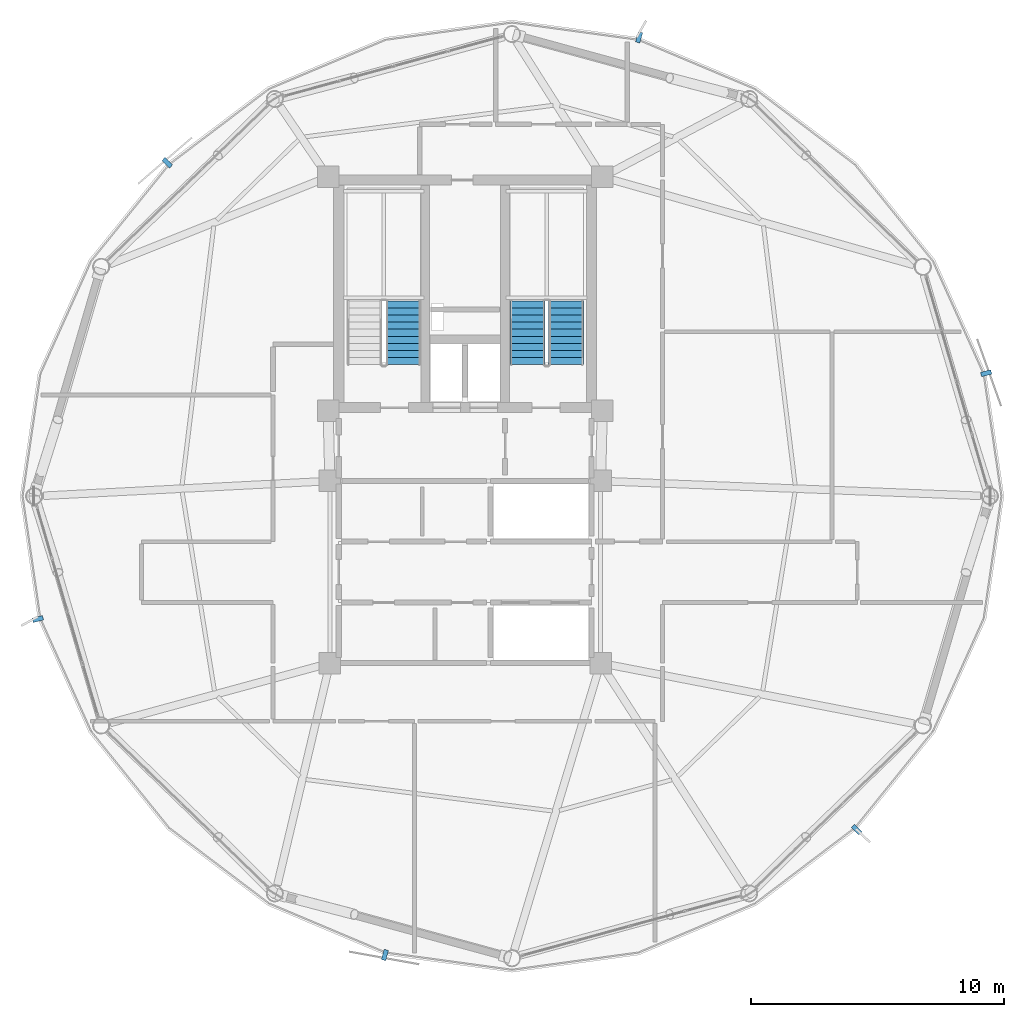
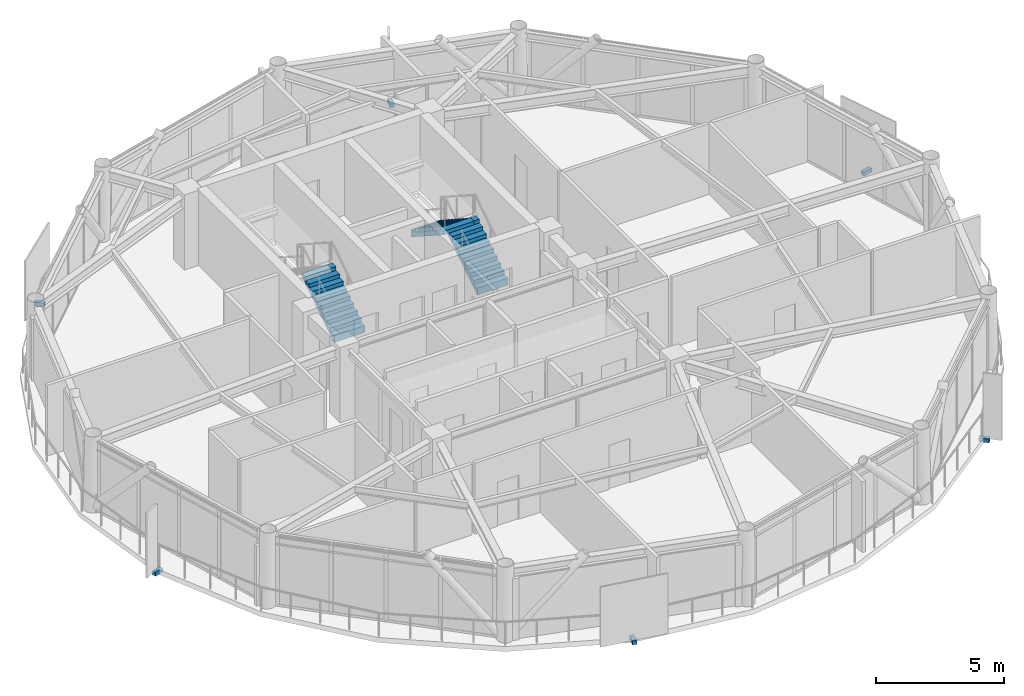
# One storey, part 25 of 28: 6 discrete accessories, 3 stair flights, 2 elements without a shape of their own.
"""IFC4 building model written with IfcOpenShell, lengths in metres."""

from ifc_helpers import new_model, si_unit, direction, frame, origin, origin_2d, place, context, subcontext, project, spatial, polyline, rectangle, outline, extrude, source, transform, mapped, material, type_object, type_shapes, element, aggregate, save


model = new_model("IFC4")

# Units and contexts
model_context = context("Model", 3, precision=1e-05, world=origin(), true_north=direction((0.0, 1.0)))
body_context = subcontext(model_context, "Body", "Model", "MODEL_VIEW")
ifc_project = project(units=[si_unit("LENGTHUNIT", "METRE"), si_unit("AREAUNIT", "SQUARE_METRE"), si_unit("VOLUMEUNIT", "CUBIC_METRE"), si_unit("PLANEANGLEUNIT", "RADIAN"), si_unit("MASSUNIT", "GRAM", prefix="KILO")], contexts=[model_context])

# Site, building, storey
site_placement = place(None, origin())
site = spatial("IfcSite", under=ifc_project, at=site_placement, CompositionType="ELEMENT")
building_placement = place(site_placement, origin())
building = spatial("IfcBuilding", under=site, at=building_placement, Name="Varnakorn Sky Granary", CompositionType="ELEMENT")
storey_placement = place(building_placement, frame((0.0, 0.0, 225.60009765625)))
storey = spatial("IfcBuildingStorey", under=building, at=storey_placement, Name="L57", CompositionType="ELEMENT", Elevation=225.60009765625)

# Stair, stair flight
ifc_material_1 = material(Name="Concrete C40/50", Category="concrete")
stair_type = type_object("IfcStairType", Name="ST-MAIN-ASSEMBLY", PredefinedType="HALF_TURN_STAIR", material=ifc_material_1)
stair_1_placement = place(storey_placement, origin())
stair_1 = element("IfcStair", 1, at=stair_1_placement, inside=storey, type_object=stair_type, Name="L57 Protected Exit Stair ST-1", PredefinedType="HALF_TURN_STAIR")
stair_flight_type = type_object("IfcStairFlightType", Name="ST-MAIN-FLIGHT", PredefinedType="STRAIGHT", material=ifc_material_1)
stair_flight_1_placement = place(storey_placement, frame((0.550048828125, 5.199951171875, 0.0), z_axis=(0.0, 0.0, 1.0), x_axis=(0.0, 1.0, 0.0)))
stair_flight_1 = element("IfcStairFlight", 2, at=stair_flight_1_placement, type_object=stair_flight_type, Name="ST-1 flight 1", NumberOfRisers=10, NumberOfTreads=9, PredefinedType="STRAIGHT", RiserHeight=0.18, TreadLength=0.28, context=body_context, shape_type="SweptSolid", body=[
    extrude(outline(polyline([(0.0, -0.14990234375), (0.0, 0.0), (0.0, 0.179931640625), (0.280029296875, 0.179931640625), (0.280029296875, 0.360107421875), (0.56005859375, 0.360107421875), (0.56005859375, 0.5400390625), (0.840087890625, 0.5400390625), (0.840087890625, 0.719970703125), (1.1201171875, 0.719970703125), (1.1201171875, 0.89990234375), (1.39990234375, 0.89990234375), (1.39990234375, 1.080078125), (1.679931640625, 1.080078125), (1.679931640625, 1.260009765625), (1.9599609375, 1.260009765625), (1.9599609375, 1.43994140625), (2.239990234375, 1.43994140625), (2.239990234375, 1.6201171875), (2.52001953125, 1.6201171875), (2.52001953125, 1.800048828125), (2.52001953125, 1.44189453125), (0.050048828125, -0.14990234375), (0.0, -0.14990234375)])), frame((0.0, 0.68994140625, 0.0), z_axis=(0.0, -1.0, 0.0), x_axis=(1.0, 0.0, 0.0)), (0.0, 0.0, 1.0), 1.3798828125),
])
aggregate(stair_1, [stair_flight_1])

# Stair, stair flights
stair_2_placement = place(storey_placement, origin())
stair_2 = element("IfcStair", 3, at=stair_2_placement, inside=storey, type_object=stair_type, Name="L57 Protected Exit Stair ST-2", PredefinedType="HALF_TURN_STAIR")
stair_flight_2_placement = place(storey_placement, frame((6.989990234375, 5.199951171875, 0.0), z_axis=(0.0, 0.0, 1.0), x_axis=(0.0, 1.0, 0.0)))
stair_flight_2 = element("IfcStairFlight", 4, at=stair_flight_2_placement, type_object=stair_flight_type, Name="ST-2 flight 1", NumberOfRisers=10, NumberOfTreads=9, PredefinedType="STRAIGHT", RiserHeight=0.18, TreadLength=0.28, context=body_context, shape_type="SweptSolid", body=[
    extrude(outline(polyline([(0.0, -0.14990234375), (0.0, 0.0), (0.0, 0.179931640625), (0.280029296875, 0.179931640625), (0.280029296875, 0.360107421875), (0.56005859375, 0.360107421875), (0.56005859375, 0.5400390625), (0.840087890625, 0.5400390625), (0.840087890625, 0.719970703125), (1.1201171875, 0.719970703125), (1.1201171875, 0.89990234375), (1.39990234375, 0.89990234375), (1.39990234375, 1.080078125), (1.679931640625, 1.080078125), (1.679931640625, 1.260009765625), (1.9599609375, 1.260009765625), (1.9599609375, 1.43994140625), (2.239990234375, 1.43994140625), (2.239990234375, 1.6201171875), (2.52001953125, 1.6201171875), (2.52001953125, 1.800048828125), (2.52001953125, 1.44189453125), (0.050048828125, -0.14990234375), (0.0, -0.14990234375)])), frame((0.0, 0.68994140625, 0.0), z_axis=(0.0, -1.0, 0.0), x_axis=(1.0, 0.0, 0.0)), (0.0, 0.0, 1.0), 1.3798828125),
])
stair_flight_3_placement = place(storey_placement, frame((5.4599609375, 7.719970703125, 1.7998046875), z_axis=(0.0, 0.0, 1.0), x_axis=(0.0, -1.0, 0.0)))
stair_flight_3 = element("IfcStairFlight", 5, at=stair_flight_3_placement, type_object=stair_flight_type, Name="ST-2 flight 2", NumberOfRisers=10, NumberOfTreads=9, PredefinedType="STRAIGHT", RiserHeight=0.18, TreadLength=0.28, context=body_context, shape_type="SweptSolid", body=[
    extrude(outline(polyline([(0.0, -0.14990234375), (0.0, 0.0), (0.0, 0.179931640625), (0.280029296875, 0.179931640625), (0.280029296875, 0.360107421875), (0.56005859375, 0.360107421875), (0.56005859375, 0.5400390625), (0.840087890625, 0.5400390625), (0.840087890625, 0.719970703125), (1.1201171875, 0.719970703125), (1.1201171875, 0.89990234375), (1.39990234375, 0.89990234375), (1.39990234375, 1.080078125), (1.679931640625, 1.080078125), (1.679931640625, 1.260009765625), (1.9599609375, 1.260009765625), (1.9599609375, 1.43994140625), (2.239990234375, 1.43994140625), (2.239990234375, 1.6201171875), (2.52001953125, 1.6201171875), (2.52001953125, 1.800048828125), (2.52001953125, 1.44189453125), (0.050048828125, -0.14990234375), (0.0, -0.14990234375)])), frame((0.0, 0.68994140625, 0.0), z_axis=(0.0, -1.0, 0.0), x_axis=(1.0, 0.0, 0.0)), (0.0, 0.0, 1.0), 1.3798828125),
])
aggregate(stair_2, [stair_flight_2, stair_flight_3])

# Discrete accessories
ifc_material_2 = material(Name="Steel S355JR", Category="steel")
discrete_accessory_type = type_object("IfcDiscreteAccessoryType", Name="AC-BRK-01", PredefinedType="BRACKET", material=ifc_material_2)
shared_shape = source(origin(), body_context, "Body", "SweptSolid", [
    extrude(rectangle(XDim=0.179931640625, YDim=0.419921875, at=origin_2d()), origin(), (0.0, 0.0, 1.0), 0.179931640625),
])
type_shapes(discrete_accessory_type, [shared_shape])
for number, where, z_axis, x_axis, name in (
    (6, (23.595947265625, 4.85986328125, -0.2001953125), (0.0, 0.0, 1.0), (-0.250954945865, 0.967998768153, 0.0), "Facade Solar-Screen Outrigger Bracket L57-01"),
    (7, (9.873779296875, 18.140625, -0.2001953125), (0.0, 0.0, 1.0), (-0.963726806098, 0.266890695243, 0.0), "Facade Solar-Screen Outrigger Bracket L57-03"),
    (8, (-8.77880859375, 13.183349609375, -0.2001953125), (0.0, 0.0, 1.0), (-0.695263954183, -0.718754501909, 0.0), "Facade Solar-Screen Outrigger Bracket L57-05"),
    (9, (-13.89599609375, -4.85986328125, -0.2001953125), (0.0, 0.0, 1.0), (0.250954945865, -0.967998768153, 0.0), "Facade Solar-Screen Outrigger Bracket L57-07"),
    (10, (-0.173828125, -18.140625, -0.2001953125), (0.0, 0.0, 1.0), (0.963726806098, -0.266890695243, 0.0), "Facade Solar-Screen Outrigger Bracket L57-09"),
    (11, (18.478759765625, -13.183349609375, -0.2001953125), (0.0, 0.0, 1.0), (0.695263954183, 0.718754501909, 0.0), "Facade Solar-Screen Outrigger Bracket L57-11"),
):
    element("IfcDiscreteAccessory", number, at=place(storey_placement, frame(where, z_axis=z_axis, x_axis=x_axis)), inside=storey, type_object=discrete_accessory_type, Name=name, PredefinedType="BRACKET", context=body_context, shape_type="MappedRepresentation", body=[
        mapped(shared_shape, transform((0.0, 0.0, 0.0), x_axis=(1.0, 0.0, 0.0), y_axis=(0.0, 1.0, 0.0), z_axis=(0.0, 0.0, 1.0), scale=1.0)),
    ])

save(model, "model.ifc")
